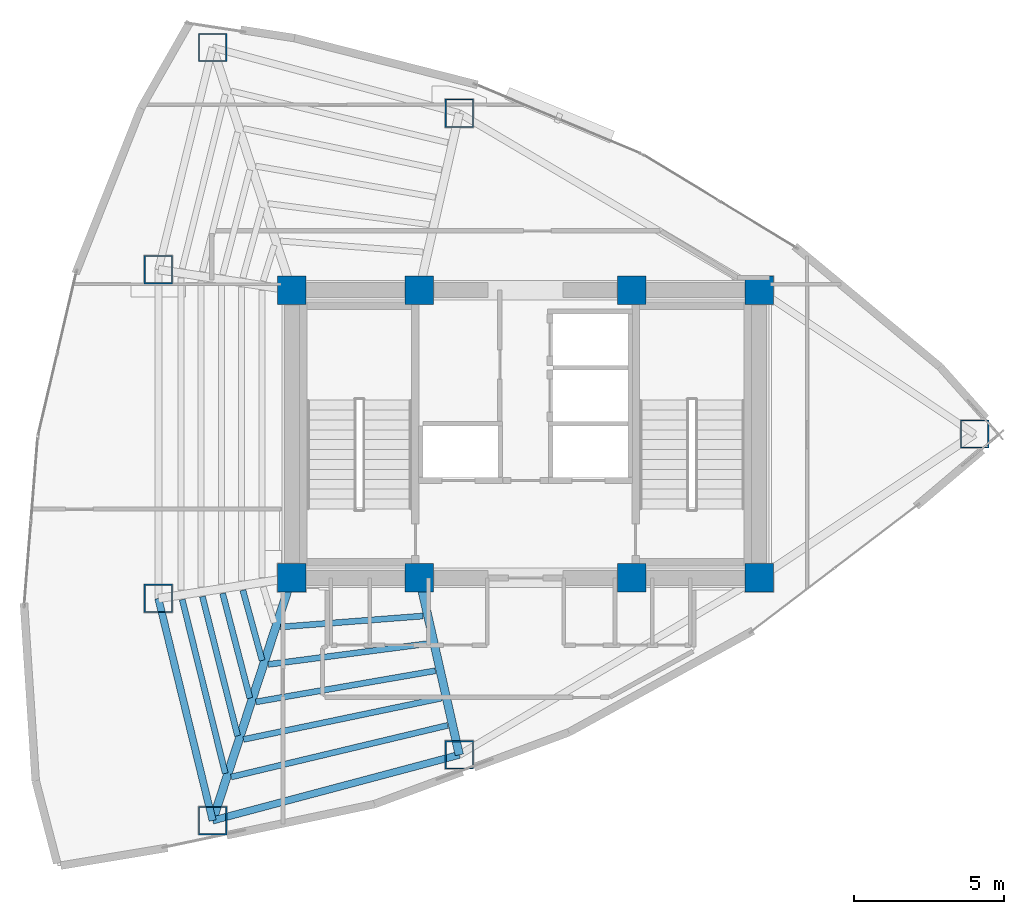
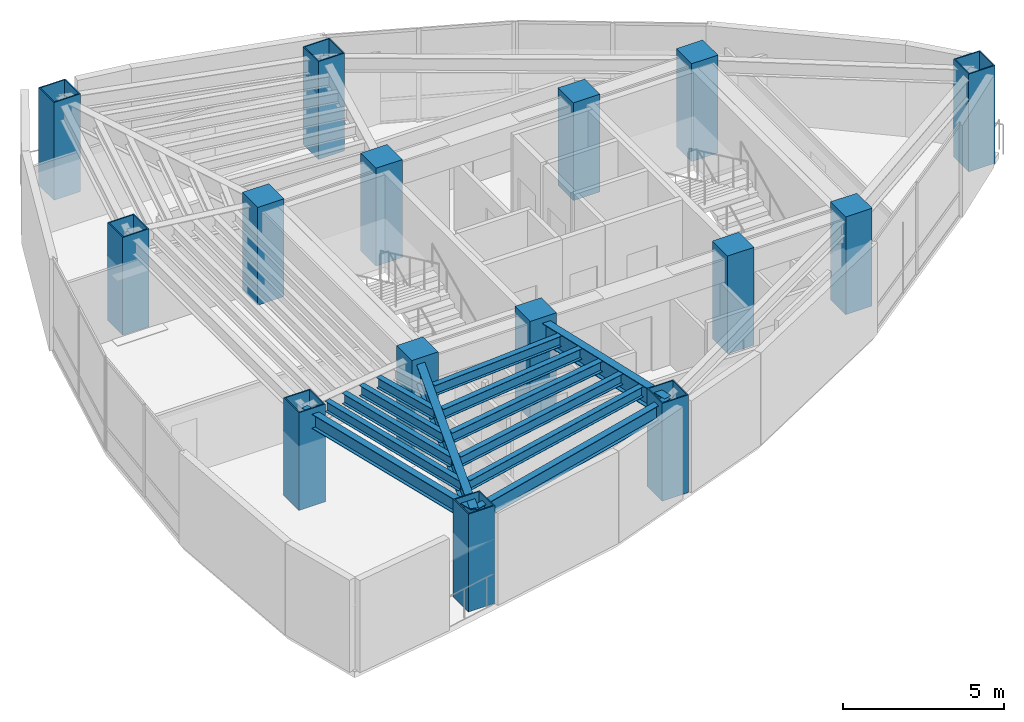
# One storey, part 1 of 15: 15 columns, 13 beams.
"""IFC4 building model written with IfcOpenShell, lengths in metres."""

from ifc_helpers import new_model, si_unit, direction, frame, origin, origin_2d, place, context, subcontext, project, spatial, rectangle, hollow_rectangle, i_section, extrude, material, material_profile, profile_set, type_object, element, save


model = new_model("IFC4")

# Units and contexts
model_context = context("Model", 3, precision=1e-05, world=origin(), true_north=direction((0.0, 1.0)))
body_context = subcontext(model_context, "Body", "Model", "MODEL_VIEW")
ifc_project = project(units=[si_unit("LENGTHUNIT", "METRE"), si_unit("AREAUNIT", "SQUARE_METRE"), si_unit("VOLUMEUNIT", "CUBIC_METRE"), si_unit("PLANEANGLEUNIT", "RADIAN"), si_unit("MASSUNIT", "GRAM", prefix="KILO")], contexts=[model_context])

# Site, building, storey
site_placement = place(None, origin())
site = spatial("IfcSite", under=ifc_project, at=site_placement, CompositionType="ELEMENT")
building_placement = place(site_placement, origin())
building = spatial("IfcBuilding", under=site, at=building_placement, Name="Menara Vayukalpa", CompositionType="ELEMENT")
storey_placement = place(building_placement, frame((0.0, 0.0, 180.360107421875)))
storey = spatial("IfcBuildingStorey", under=building, at=storey_placement, Name="L45", CompositionType="ELEMENT", Elevation=180.360107421875)

# Columns
ifc_material_1 = material(Name="Concrete C60/75", Category="concrete")
ifc_material_profile_1 = material_profile(ifc_material_1, rectangle(XDim=0.949951171875, YDim=0.949951171875, at=origin_2d()), Name="RC 950x950")
ifc_profile_set_1 = profile_set([ifc_material_profile_1], Name="Concrete C60/75")
column_type_1 = type_object("IfcColumnType", Name="COL-CC2", PredefinedType="COLUMN", material=ifc_profile_set_1)
for number, where, z_axis, x_axis, name in (
    (1, (17.800048828125, 17.199951171875, 0.0), (0.0, 0.0, 1.0), (1.0, 0.0, 0.0), "L45 Core Pilaster Column CC1"),
    (2, (22.050048828125, 17.199951171875, 0.0), (0.0, 0.0, 1.0), (1.0, 0.0, 0.0), "L45 Core Pilaster Column CC2"),
    (3, (29.14990234375, 17.199951171875, 0.0), (0.0, 0.0, 1.0), (1.0, 0.0, 0.0), "L45 Core Pilaster Column CC3"),
    (4, (33.39990234375, 17.199951171875, 0.0), (0.0, 0.0, 1.0), (1.0, 0.0, 0.0), "L45 Core Pilaster Column CC4"),
    (5, (17.800048828125, 26.800048828125, 0.0), (0.0, 0.0, 1.0), (1.0, 0.0, 0.0), "L45 Core Pilaster Column CC5"),
    (6, (22.050048828125, 26.800048828125, 0.0), (0.0, 0.0, 1.0), (1.0, 0.0, 0.0), "L45 Core Pilaster Column CC6"),
    (7, (29.14990234375, 26.800048828125, 0.0), (0.0, 0.0, 1.0), (1.0, 0.0, 0.0), "L45 Core Pilaster Column CC7"),
    (8, (33.39990234375, 26.800048828125, 0.0), (0.0, 0.0, 1.0), (1.0, 0.0, 0.0), "L45 Core Pilaster Column CC8"),
):
    element("IfcColumn", number, at=place(storey_placement, frame(where, z_axis=z_axis, x_axis=x_axis)), inside=storey, type_object=column_type_1, Name=name, PredefinedType="COLUMN", context=body_context, shape_type="SweptSolid", body=[
        extrude(rectangle(XDim=0.949951171875, YDim=0.949951171875, at=origin_2d()), origin(), (0.0, 0.0, 1.0), 3.719970703125),
    ])
ifc_material_2 = material(Name="Steel S460", Category="steel")
ifc_material_profile_2 = material_profile(ifc_material_2, hollow_rectangle(XDim=0.949951171875, YDim=0.949951171875, WallThickness=0.0400390625, at=origin_2d()), Name="BOX 950x950x40")
ifc_profile_set_2 = profile_set([ifc_material_profile_2], Name="Steel S460")
column_type_2 = type_object("IfcColumnType", Name="COL-MC4", PredefinedType="COLUMN", material=ifc_profile_set_2)
for number, where, z_axis, x_axis, name in (
    (9, (40.590576171875, 22.0, 0.0), (0.0, 0.0, 1.0), (1.0, 0.0, 0.0), "L45 Perimeter Mega Column P01"),
    (10, (23.389404296875, 32.70849609375, 0.0), (0.0, 0.0, 1.0), (1.0, 0.0, 0.0), "L45 Perimeter Mega Column P03"),
    (11, (15.15478515625, 34.902587890625, 0.0), (0.0, 0.0, 1.0), (1.0, 0.0, 0.0), "L45 Perimeter Mega Column P04"),
    (12, (13.343994140625, 27.4892578125, 0.0), (0.0, 0.0, 1.0), (1.0, 0.0, 0.0), "L45 Perimeter Mega Column P05"),
    (13, (13.343994140625, 16.5107421875, 0.0), (0.0, 0.0, 1.0), (1.0, 0.0, 0.0), "L45 Perimeter Mega Column P06"),
    (14, (15.15478515625, 9.097412109375, 0.0), (0.0, 0.0, 1.0), (1.0, 0.0, 0.0), "L45 Perimeter Mega Column P07"),
    (15, (23.389404296875, 11.29150390625, 0.0), (0.0, 0.0, 1.0), (1.0, 0.0, 0.0), "L45 Perimeter Mega Column P08"),
):
    element("IfcColumn", number, at=place(storey_placement, frame(where, z_axis=z_axis, x_axis=x_axis)), inside=storey, type_object=column_type_2, Name=name, PredefinedType="COLUMN", context=body_context, shape_type="SweptSolid", body=[
        extrude(hollow_rectangle(XDim=0.949951171875, YDim=0.949951171875, WallThickness=0.0400390625, at=origin_2d()), origin(), (0.0, 0.0, 1.0), 3.719970703125),
    ])

# Beams
ifc_material_3 = material(Name="Steel S355", Category="steel")
ifc_material_profile_3 = material_profile(ifc_material_3, i_section(OverallWidth=0.280029296875, OverallDepth=0.75, WebThickness=0.013916015625, FlangeThickness=0.02490234375, at=origin_2d()), Name="WF 750x280x14x25")
ifc_profile_set_3 = profile_set([ifc_material_profile_3], Name="Steel S355")
beam_type_1 = type_object("IfcBeamType", Name="BM-PG4", PredefinedType="BEAM", material=ifc_profile_set_3)
beam_1_placement = place(storey_placement, frame((17.722412109375, 16.96240234375, 3.125), z_axis=(-0.310343552153, -0.950624468251, 0.0), x_axis=(0.950624468251, -0.310343552153, 0.0)))
element("IfcBeam", 16, at=beam_1_placement, inside=storey, type_object=beam_type_1, Name="L45 Primary Radial Girder RG07", PredefinedType="BEAM", context=body_context, shape_type="SweptSolid", body=[
    extrude(i_section(OverallWidth=0.280029296875, OverallDepth=0.75, WebThickness=0.013916015625, FlangeThickness=0.02490234375, at=origin_2d()), origin(), (0.0, 0.0, 1.0), 8.2734375),
])
beam_2_placement = place(storey_placement, frame((22.105224609375, 16.956298828125, 3.125), z_axis=(0.221085149161, -0.975254508741, 0.0), x_axis=(0.975254508741, 0.221085149161, 0.0)))
element("IfcBeam", 17, at=beam_2_placement, inside=storey, type_object=beam_type_1, Name="L45 Primary Radial Girder RG08", PredefinedType="BEAM", context=body_context, shape_type="SweptSolid", body=[
    extrude(i_section(OverallWidth=0.280029296875, OverallDepth=0.75, WebThickness=0.013916015625, FlangeThickness=0.02490234375, at=origin_2d()), origin(), (0.0, 0.0, 1.0), 5.80859375),
])
ifc_material_4 = material(Name="Steel S355", Category="steel")
ifc_material_profile_4 = material_profile(ifc_material_4, i_section(OverallWidth=0.199951171875, OverallDepth=0.39990234375, WebThickness=0.008056640625, FlangeThickness=0.012939453125, at=origin_2d()), Name="WF 400x200x8x13")
ifc_profile_set_4 = profile_set([ifc_material_profile_4], Name="Steel S355")
beam_type_2 = type_object("IfcBeamType", Name="BM-SJ2", PredefinedType="JOIST", material=ifc_profile_set_4)
beam_3_placement = place(storey_placement, frame((16.164306640625, 16.7861328125, 3.2998046875), z_axis=(0.264502665082, -0.964384954344, 0.0), x_axis=(0.964384954344, 0.264502665082, 0.0)))
element("IfcBeam", 18, at=beam_3_placement, inside=storey, type_object=beam_type_2, Name="L45 Secondary Floor Joist SJ06-2", PredefinedType="JOIST", context=body_context, shape_type="SweptSolid", body=[
    extrude(i_section(OverallWidth=0.199951171875, OverallDepth=0.39990234375, WebThickness=0.008056640625, FlangeThickness=0.012939453125, at=origin_2d()), origin(), (0.0, 0.0, 1.0), 2.430419921875),
])
beam_4_placement = place(storey_placement, frame((15.48876953125, 16.681396484375, 3.2998046875), z_axis=(0.251714869346, -0.967801438597, 0.0), x_axis=(0.967801438597, 0.251714869346, 0.0)))
element("IfcBeam", 19, at=beam_4_placement, inside=storey, type_object=beam_type_2, Name="L45 Secondary Floor Joist SJ06-3", PredefinedType="JOIST", context=body_context, shape_type="SweptSolid", body=[
    extrude(i_section(OverallWidth=0.199951171875, OverallDepth=0.39990234375, WebThickness=0.008056640625, FlangeThickness=0.012939453125, at=origin_2d()), origin(), (0.0, 0.0, 1.0), 3.61279296875),
])
beam_5_placement = place(storey_placement, frame((14.814208984375, 16.576904296875, 3.2998046875), z_axis=(0.24483447751, -0.969564891393, 0.0), x_axis=(0.969564891393, 0.24483447751, 0.0)))
element("IfcBeam", 20, at=beam_5_placement, inside=storey, type_object=beam_type_2, Name="L45 Secondary Floor Joist SJ06-4", PredefinedType="JOIST", context=body_context, shape_type="SweptSolid", body=[
    extrude(i_section(OverallWidth=0.199951171875, OverallDepth=0.39990234375, WebThickness=0.008056640625, FlangeThickness=0.012939453125, at=origin_2d()), origin(), (0.0, 0.0, 1.0), 4.79638671875),
])
beam_6_placement = place(storey_placement, frame((14.14013671875, 16.47265625, 3.2998046875), z_axis=(0.240556182956, -0.970635216156, 0.0), x_axis=(0.970635216156, 0.240556182956, 0.0)))
element("IfcBeam", 21, at=beam_6_placement, inside=storey, type_object=beam_type_2, Name="L45 Secondary Floor Joist SJ06-5", PredefinedType="JOIST", context=body_context, shape_type="SweptSolid", body=[
    extrude(i_section(OverallWidth=0.199951171875, OverallDepth=0.39990234375, WebThickness=0.008056640625, FlangeThickness=0.012939453125, at=origin_2d()), origin(), (0.0, 0.0, 1.0), 5.979736328125),
])
beam_7_placement = place(storey_placement, frame((17.419921875, 15.558837890625, 3.2998046875), z_axis=(0.997061705182, 0.076602585202, 0.0), x_axis=(-0.076602585202, 0.997061705182, 0.0)))
element("IfcBeam", 22, at=beam_7_placement, inside=storey, type_object=beam_type_2, Name="L45 Secondary Floor Joist SJ07-1", PredefinedType="JOIST", context=body_context, shape_type="SweptSolid", body=[
    extrude(i_section(OverallWidth=0.199951171875, OverallDepth=0.39990234375, WebThickness=0.008056640625, FlangeThickness=0.012939453125, at=origin_2d()), origin(), (0.0, 0.0, 1.0), 4.77099609375),
])
beam_8_placement = place(storey_placement, frame((17.008056640625, 14.308837890625, 3.2998046875), z_axis=(0.99161070493, 0.129260240866, 0.0), x_axis=(-0.129260240866, 0.99161070493, 0.0)))
element("IfcBeam", 23, at=beam_8_placement, inside=storey, type_object=beam_type_2, Name="L45 Secondary Floor Joist SJ07-2", PredefinedType="JOIST", context=body_context, shape_type="SweptSolid", body=[
    extrude(i_section(OverallWidth=0.199951171875, OverallDepth=0.39990234375, WebThickness=0.008056640625, FlangeThickness=0.012939453125, at=origin_2d()), origin(), (0.0, 0.0, 1.0), 5.420654296875),
])
beam_9_placement = place(storey_placement, frame((16.59619140625, 13.05712890625, 3.2998046875), z_axis=(0.985288833054, 0.170897382832, 0.0), x_axis=(-0.170897382832, 0.985288833054, 0.0)))
element("IfcBeam", 24, at=beam_9_placement, inside=storey, type_object=beam_type_2, Name="L45 Secondary Floor Joist SJ07-3", PredefinedType="JOIST", context=body_context, shape_type="SweptSolid", body=[
    extrude(i_section(OverallWidth=0.199951171875, OverallDepth=0.39990234375, WebThickness=0.008056640625, FlangeThickness=0.012939453125, at=origin_2d()), origin(), (0.0, 0.0, 1.0), 6.0830078125),
])
beam_10_placement = place(storey_placement, frame((16.184326171875, 11.80419921875, 3.2998046875), z_axis=(0.97888709748, 0.204401688806, 0.0), x_axis=(-0.204401688806, 0.97888709748, 0.0)))
element("IfcBeam", 25, at=beam_10_placement, inside=storey, type_object=beam_type_2, Name="L45 Secondary Floor Joist SJ07-4", PredefinedType="JOIST", context=body_context, shape_type="SweptSolid", body=[
    extrude(i_section(OverallWidth=0.199951171875, OverallDepth=0.39990234375, WebThickness=0.008056640625, FlangeThickness=0.012939453125, at=origin_2d()), origin(), (0.0, 0.0, 1.0), 6.75439453125),
])
beam_11_placement = place(storey_placement, frame((15.772705078125, 10.55029296875, 3.2998046875), z_axis=(0.972731800574, 0.231932844055, 0.0), x_axis=(-0.231932844055, 0.972731800574, 0.0)))
element("IfcBeam", 26, at=beam_11_placement, inside=storey, type_object=beam_type_2, Name="L45 Secondary Floor Joist SJ07-5", PredefinedType="JOIST", context=body_context, shape_type="SweptSolid", body=[
    extrude(i_section(OverallWidth=0.199951171875, OverallDepth=0.39990234375, WebThickness=0.008056640625, FlangeThickness=0.012939453125, at=origin_2d()), origin(), (0.0, 0.0, 1.0), 7.4326171875),
])
ifc_material_5 = material(Name="Steel S355", Category="steel")
ifc_material_profile_5 = material_profile(ifc_material_5, i_section(OverallWidth=0.239990234375, OverallDepth=0.550048828125, WebThickness=0.010986328125, FlangeThickness=0.01904296875, at=origin_2d()), Name="WF 550x240x11x19")
ifc_profile_set_5 = profile_set([ifc_material_profile_5], Name="Steel S355")
beam_type_3 = type_object("IfcBeamType", Name="BM-SP2", PredefinedType="SPANDREL", material=ifc_profile_set_5)
beam_12_placement = place(storey_placement, frame((13.343994140625, 16.5107421875, 3.224853515625), z_axis=(0.237285374413, -0.971439988414, 0.0), x_axis=(0.971439988414, 0.237285374413, 0.0)))
element("IfcBeam", 27, at=beam_12_placement, inside=storey, type_object=beam_type_3, Name="L45 Perimeter Spandrel Beam SP06", PredefinedType="SPANDREL", context=body_context, shape_type="SweptSolid", body=[
    extrude(i_section(OverallWidth=0.239990234375, OverallDepth=0.550048828125, WebThickness=0.010986328125, FlangeThickness=0.01904296875, at=origin_2d()), origin(), (0.0, 0.0, 1.0), 7.63134765625),
])
beam_13_placement = place(storey_placement, frame((15.15478515625, 9.097412109375, 3.224853515625), z_axis=(0.966287699272, 0.25746472037, 0.0), x_axis=(-0.25746472037, 0.966287699272, 0.0)))
element("IfcBeam", 28, at=beam_13_placement, inside=storey, type_object=beam_type_3, Name="L45 Perimeter Spandrel Beam SP07", PredefinedType="SPANDREL", context=body_context, shape_type="SweptSolid", body=[
    extrude(i_section(OverallWidth=0.239990234375, OverallDepth=0.550048828125, WebThickness=0.010986328125, FlangeThickness=0.01904296875, at=origin_2d()), origin(), (0.0, 0.0, 1.0), 8.52197265625),
])

save(model, "model.ifc")
